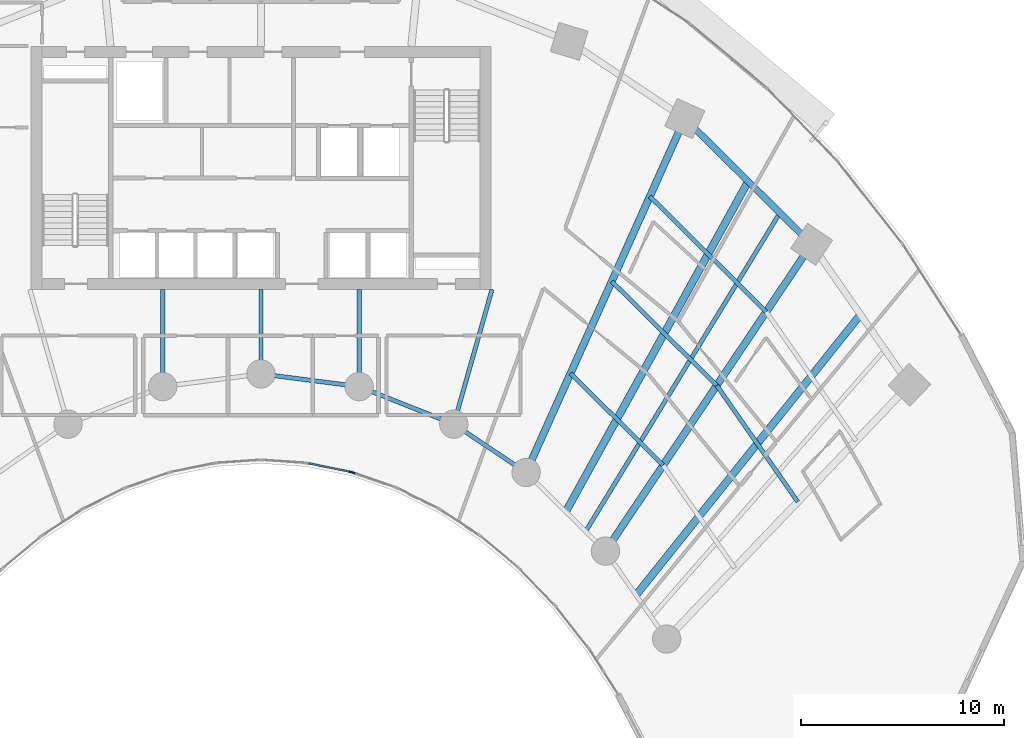
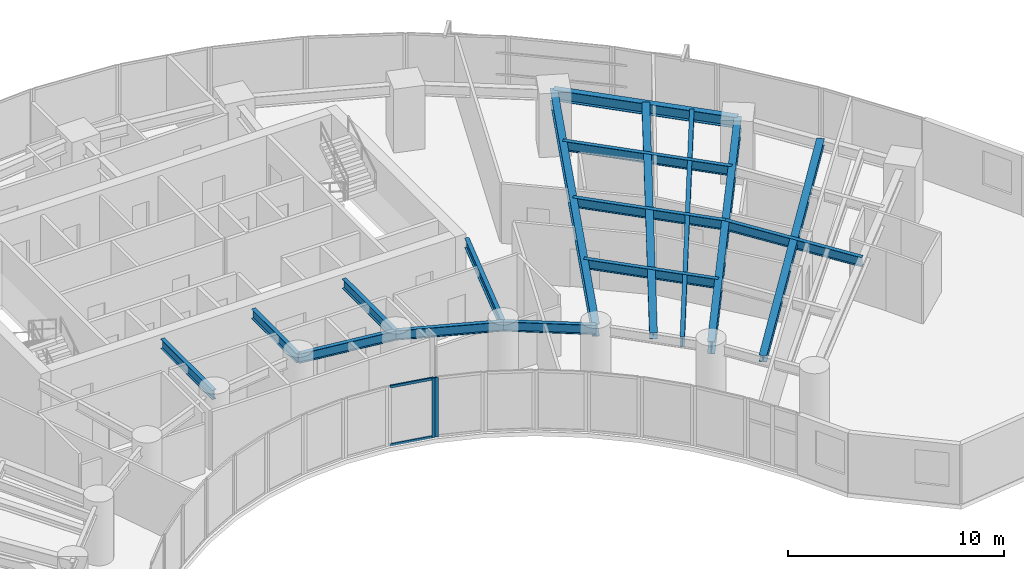
# One storey, part 5 of 17: 17 beams, 4 members, 2 elements without a shape of their own.
"""IFC4 building model written with IfcOpenShell, lengths in metres."""

from ifc_helpers import new_model, si_unit, direction, frame, origin, origin_2d, place, context, subcontext, project, spatial, rectangle, i_section, extrude, source, transform, mapped, material, layer, layer_set, material_profile, profile_set, type_object, type_shapes, element, aggregate, save


model = new_model("IFC4")

# Units and contexts
model_context = context("Model", 3, precision=1e-05, world=origin(), true_north=direction((0.0, 1.0)))
body_context = subcontext(model_context, "Body", "Model", "MODEL_VIEW")
ifc_project = project(units=[si_unit("LENGTHUNIT", "METRE"), si_unit("AREAUNIT", "SQUARE_METRE"), si_unit("VOLUMEUNIT", "CUBIC_METRE"), si_unit("PLANEANGLEUNIT", "RADIAN"), si_unit("MASSUNIT", "GRAM", prefix="KILO")], contexts=[model_context])

# Site, building, storey
site_placement = place(None, origin())
site = spatial("IfcSite", under=ifc_project, at=site_placement, CompositionType="ELEMENT")
building_placement = place(site_placement, origin())
building = spatial("IfcBuilding", under=site, at=building_placement, Name="Breltana Convention Tower", CompositionType="ELEMENT")
storey_placement = place(building_placement, frame((0.0, 0.0, 46.199951171875)))
storey = spatial("IfcBuildingStorey", under=building, at=storey_placement, Name="L09", CompositionType="ELEMENT", Elevation=46.199951171875)

# Beams
ifc_material_1 = material(Name="Steel ASTM A992 Grade 50", Category="steel")
ifc_material_profile_1 = material_profile(ifc_material_1, i_section(OverallWidth=0.323974609375, OverallDepth=0.611083984375, WebThickness=0.0126953125, FlangeThickness=0.01904296875, at=origin_2d()), Name="W24X104")
ifc_profile_set_1 = profile_set([ifc_material_profile_1], Name="Steel ASTM A992 Grade 50")
beam_type_1 = type_object("IfcBeamType", Name="BM-SP-W24X104", PredefinedType="SPANDREL", material=ifc_profile_set_1)
shared_shape_1 = source(origin(), body_context, "Body", "SweptSolid", [
    extrude(i_section(OverallWidth=0.323974609375, OverallDepth=0.611083984375, WebThickness=0.0126953125, FlangeThickness=0.01904296875, at=origin_2d()), origin(), (0.0, 0.0, 1.0), 8.810302734375),
])
beam_1_placement = place(storey_placement, frame((68.910400390625, 68.63330078125, 3.054443359375), z_axis=(0.710120823582, -0.704079836322, 0.0), x_axis=(0.704079836322, 0.710120823582, 0.0)))
element("IfcBeam", 1, at=beam_1_placement, inside=storey, type_object=beam_type_1, Name="L09 Outer Spandrel Beam 09", PredefinedType="SPANDREL", context=body_context, shape_type="MappedRepresentation", body=[
    mapped(shared_shape_1, transform((0.0, 0.0, 0.0), scale=1.0)),
])
ifc_material_profile_2 = material_profile(ifc_material_1, i_section(OverallWidth=0.2099609375, OverallDepth=0.537109375, WebThickness=0.010986328125, FlangeThickness=0.017333984375, at=origin_2d()), Name="W21X68")
ifc_profile_set_2 = profile_set([ifc_material_profile_2], Name="Steel ASTM A992 Grade 50")
beam_type_2 = type_object("IfcBeamType", Name="BM-BM-W21X68", PredefinedType="BEAM", material=ifc_profile_set_2)
shared_shape_2 = source(origin(), body_context, "Body", "SweptSolid", [
    extrude(i_section(OverallWidth=0.2099609375, OverallDepth=0.537109375, WebThickness=0.010986328125, FlangeThickness=0.017333984375, at=origin_2d()), origin(), (0.0, 0.0, 1.0), 6.904541015625),
])
type_shapes(beam_type_2, [shared_shape_2])
beam_2_placement = place(storey_placement, frame((59.39990234375, 60.199951171875, 3.091552734375), z_axis=(-0.273006781054, -0.962012108811, 0.0), x_axis=(0.962012108811, -0.273006781054, 0.0)))
element("IfcBeam", 2, at=beam_2_placement, inside=storey, type_object=beam_type_2, Name="L09 South Core Tie Girder R08", PredefinedType="BEAM", context=body_context, shape_type="MappedRepresentation", body=[
    mapped(shared_shape_2, transform((0.0, 0.0, 0.0), scale=1.0)),
])
shared_shape_3 = source(origin(), body_context, "Body", "SweptSolid", [
    extrude(i_section(OverallWidth=0.2099609375, OverallDepth=0.537109375, WebThickness=0.010986328125, FlangeThickness=0.017333984375, at=origin_2d()), origin(), (0.0, 0.0, 1.0), 4.789306640625),
])
for number, where, z_axis, x_axis, name in (
    (3, (43.153564453125, 60.199951171875, 3.091552734375), (0.0, -1.0, 0.0), (1.0, 0.0, 0.0), "L09 South Core Tie Girder R05"),
    (4, (52.846435546875, 60.199951171875, 3.091552734375), (0.0, -1.0, 0.0), (1.0, 0.0, 0.0), "L09 South Core Tie Girder R07"),
):
    element("IfcBeam", number, at=place(storey_placement, frame(where, z_axis=z_axis, x_axis=x_axis)), inside=storey, type_object=beam_type_2, Name=name, PredefinedType="BEAM", context=body_context, shape_type="MappedRepresentation", body=[
        mapped(shared_shape_3, transform((0.0, 0.0, 0.0), scale=1.0)),
    ])
shared_shape_4 = source(origin(), body_context, "Body", "SweptSolid", [
    extrude(i_section(OverallWidth=0.2099609375, OverallDepth=0.537109375, WebThickness=0.010986328125, FlangeThickness=0.017333984375, at=origin_2d()), origin(), (0.0, 0.0, 1.0), 4.1640625),
])
beam_3_placement = place(storey_placement, frame((48.0, 60.199951171875, 3.091552734375), z_axis=(0.0, -1.0, 0.0), x_axis=(1.0, 0.0, 0.0)))
element("IfcBeam", 5, at=beam_3_placement, inside=storey, type_object=beam_type_2, Name="L09 South Core Tie Girder R06", PredefinedType="BEAM", context=body_context, shape_type="MappedRepresentation", body=[
    mapped(shared_shape_4, transform((0.0, 0.0, 0.0), scale=1.0)),
])
ifc_material_profile_3 = material_profile(ifc_material_1, i_section(OverallWidth=0.35498046875, OverallDepth=0.696044921875, WebThickness=0.015380859375, FlangeThickness=0.02490234375, at=origin_2d()), Name="W27X146")
ifc_profile_set_3 = profile_set([ifc_material_profile_3], Name="Steel ASTM A992 Grade 50")
beam_type_3 = type_object("IfcBeamType", Name="BM-RG-W27X146", PredefinedType="USERDEFINED", material=ifc_profile_set_3)
shared_shape_5 = source(origin(), body_context, "Body", "SweptSolid", [
    extrude(i_section(OverallWidth=0.35498046875, OverallDepth=0.696044921875, WebThickness=0.015380859375, FlangeThickness=0.02490234375, at=origin_2d()), origin(), (0.0, 0.0, 1.0), 19.133544921875),
])
beam_4_placement = place(storey_placement, frame((61.08203125, 51.174560546875, 3.011962890625), z_axis=(0.409144564164, 0.912469575172, 0.0), x_axis=(-0.912469575172, 0.409144564164, 0.0)))
element("IfcBeam", 6, at=beam_4_placement, inside=storey, type_object=beam_type_3, Name="L09 Radial Floor Girder R09", ObjectType="GIRDER", PredefinedType="USERDEFINED", context=body_context, shape_type="MappedRepresentation", body=[
    mapped(shared_shape_5, transform((0.0, 0.0, 0.0), scale=1.0)),
])
shared_shape_6 = source(origin(), body_context, "Body", "SweptSolid", [
    extrude(i_section(OverallWidth=0.35498046875, OverallDepth=0.696044921875, WebThickness=0.015380859375, FlangeThickness=0.02490234375, at=origin_2d()), origin(), (0.0, 0.0, 1.0), 18.236328125),
])
beam_5_placement = place(storey_placement, frame((64.995849609375, 47.293701171875, 3.011962890625), z_axis=(0.557730360975, 0.830022195153, 0.0), x_axis=(-0.830022195153, 0.557730360975, 0.0)))
element("IfcBeam", 7, at=beam_5_placement, inside=storey, type_object=beam_type_3, Name="L09 Radial Floor Girder R10", ObjectType="GIRDER", PredefinedType="USERDEFINED", context=body_context, shape_type="MappedRepresentation", body=[
    mapped(shared_shape_6, transform((0.0, 0.0, 0.0), scale=1.0)),
])
shared_shape_7 = source(origin(), body_context, "Body", "SweptSolid", [
    extrude(i_section(OverallWidth=0.2099609375, OverallDepth=0.537109375, WebThickness=0.010986328125, FlangeThickness=0.017333984375, at=origin_2d()), origin(), (0.0, 0.0, 1.0), 5.022705078125),
])
beam_6_placement = place(storey_placement, frame((52.846435546875, 55.41064453125, 3.091552734375), z_axis=(0.929458966248, -0.368925507469, 0.0), x_axis=(0.368925507469, 0.929458966248, 0.0)))
element("IfcBeam", 8, at=beam_6_placement, inside=storey, type_object=beam_type_2, Name="L09 Inner Ring Beam 07", PredefinedType="BEAM", context=body_context, shape_type="MappedRepresentation", body=[
    mapped(shared_shape_7, transform((0.0, 0.0, 0.0), scale=1.0)),
])
shared_shape_8 = source(origin(), body_context, "Body", "SweptSolid", [
    extrude(i_section(OverallWidth=0.2099609375, OverallDepth=0.537109375, WebThickness=0.010986328125, FlangeThickness=0.017333984375, at=origin_2d()), origin(), (0.0, 0.0, 1.0), 4.88671875),
])
beam_7_placement = place(storey_placement, frame((48.0, 56.035888671875, 3.091552734375), z_axis=(0.991780525565, -0.127950729231, 0.0), x_axis=(0.127950729231, 0.991780525565, 0.0)))
element("IfcBeam", 9, at=beam_7_placement, inside=storey, type_object=beam_type_2, Name="L09 Inner Ring Beam 06", PredefinedType="BEAM", context=body_context, shape_type="MappedRepresentation", body=[
    mapped(shared_shape_8, transform((0.0, 0.0, 0.0), scale=1.0)),
])
shared_shape_9 = source(origin(), body_context, "Body", "SweptSolid", [
    extrude(i_section(OverallWidth=0.2099609375, OverallDepth=0.537109375, WebThickness=0.010986328125, FlangeThickness=0.017333984375, at=origin_2d()), origin(), (0.0, 0.0, 1.0), 4.2900390625),
])
beam_8_placement = place(storey_placement, frame((57.514892578125, 53.5576171875, 3.091552734375), z_axis=(0.831515827753, -0.555501060482, 0.0), x_axis=(0.555501060482, 0.831515827753, 0.0)))
element("IfcBeam", 10, at=beam_8_placement, inside=storey, type_object=beam_type_2, Name="L09 Inner Ring Beam 08", PredefinedType="BEAM", context=body_context, shape_type="MappedRepresentation", body=[
    mapped(shared_shape_9, transform((0.0, 0.0, 0.0), scale=1.0)),
])
ifc_material_profile_4 = material_profile(ifc_material_1, i_section(OverallWidth=0.2099609375, OverallDepth=0.537109375, WebThickness=0.010986328125, FlangeThickness=0.017333984375, at=origin_2d()), Name="W21X68")
ifc_profile_set_4 = profile_set([ifc_material_profile_4], Name="Steel ASTM A992 Grade 50")
beam_type_4 = type_object("IfcBeamType", Name="BM-JSG-04", PredefinedType="JOIST", material=ifc_profile_set_4)
shared_shape_10 = source(origin(), body_context, "Body", "SweptSolid", [
    extrude(i_section(OverallWidth=0.2099609375, OverallDepth=0.537109375, WebThickness=0.010986328125, FlangeThickness=0.017333984375, at=origin_2d()), origin(), (0.0, 0.0, 1.0), 6.435302734375),
])
beam_9_placement = place(storey_placement, frame((63.27392578125, 56.06298828125, 3.091552734375), z_axis=(0.710116389828, -0.704084308089, 0.0), x_axis=(0.704084308089, 0.710116389828, 0.0)))
element("IfcBeam", 11, at=beam_9_placement, inside=storey, type_object=beam_type_4, Name="L09 Composite Floor Joist 09.1", PredefinedType="JOIST", context=body_context, shape_type="MappedRepresentation", body=[
    mapped(shared_shape_10, transform((0.0, 0.0, 0.0), scale=1.0)),
])
shared_shape_11 = source(origin(), body_context, "Body", "SweptSolid", [
    extrude(i_section(OverallWidth=0.2099609375, OverallDepth=0.537109375, WebThickness=0.010986328125, FlangeThickness=0.017333984375, at=origin_2d()), origin(), (0.0, 0.0, 1.0), 7.29296875),
])
beam_10_placement = place(storey_placement, frame((65.309326171875, 60.602294921875, 3.091552734375), z_axis=(0.710096551013, -0.704104316305, 0.0), x_axis=(0.704104316305, 0.710096551013, 0.0)))
element("IfcBeam", 12, at=beam_10_placement, inside=storey, type_object=beam_type_4, Name="L09 Composite Floor Joist 09.2", PredefinedType="JOIST", context=body_context, shape_type="MappedRepresentation", body=[
    mapped(shared_shape_11, transform((0.0, 0.0, 0.0), scale=1.0)),
])
shared_shape_12 = source(origin(), body_context, "Body", "SweptSolid", [
    extrude(i_section(OverallWidth=0.2099609375, OverallDepth=0.537109375, WebThickness=0.010986328125, FlangeThickness=0.017333984375, at=origin_2d()), origin(), (0.0, 0.0, 1.0), 8.084716796875),
])
beam_11_placement = place(storey_placement, frame((67.188232421875, 64.79248046875, 3.091552734375), z_axis=(0.710105094548, -0.704095699956, 0.0), x_axis=(0.704095699956, 0.710105094548, 0.0)))
element("IfcBeam", 13, at=beam_11_placement, inside=storey, type_object=beam_type_4, Name="L09 Composite Floor Joist 09.3", PredefinedType="JOIST", context=body_context, shape_type="MappedRepresentation", body=[
    mapped(shared_shape_12, transform((0.0, 0.0, 0.0), scale=1.0)),
])
ifc_material_profile_5 = material_profile(ifc_material_1, i_section(OverallWidth=0.368896484375, OverallDepth=0.35595703125, WebThickness=0.01123046875, FlangeThickness=0.01806640625, at=origin_2d()), Name="W14X90")
ifc_profile_set_5 = profile_set([ifc_material_profile_5], Name="Steel ASTM A992 Grade 50")
beam_type_5 = type_object("IfcBeamType", Name="BM-JSG-09", PredefinedType="JOIST", material=ifc_profile_set_5)
shared_shape_13 = source(origin(), body_context, "Body", "SweptSolid", [
    extrude(i_section(OverallWidth=0.368896484375, OverallDepth=0.35595703125, WebThickness=0.01123046875, FlangeThickness=0.01806640625, at=origin_2d()), origin(), (0.0, 0.0, 1.0), 18.617431640625),
])
beam_12_placement = place(storey_placement, frame((63.038818359375, 49.234130859375, 3.18212890625), z_axis=(0.483405602507, 0.875396495004, 0.0), x_axis=(-0.875396495004, 0.483405602507, 0.0)))
element("IfcBeam", 14, at=beam_12_placement, inside=storey, type_object=beam_type_5, Name="L09 Mid-Bay Radial Trimmer 09", PredefinedType="JOIST", context=body_context, shape_type="MappedRepresentation", body=[
    mapped(shared_shape_13, transform((0.0, 0.0, 0.0), scale=1.0)),
])
shared_shape_14 = source(origin(), body_context, "Body", "SweptSolid", [
    extrude(i_section(OverallWidth=0.2099609375, OverallDepth=0.537109375, WebThickness=0.010986328125, FlangeThickness=0.017333984375, at=origin_2d()), origin(), (0.0, 0.0, 1.0), 18.409423828125),
])
beam_13_placement = place(storey_placement, frame((64.017333984375, 48.263916015625, 3.091552734375), z_axis=(0.520682167606, 0.853750596098, 0.0), x_axis=(-0.853750596098, 0.520682167606, 0.0)))
element("IfcBeam", 15, at=beam_13_placement, inside=storey, type_object=beam_type_4, Name="L09 Quarter-Bay Radial Trimmer 09", PredefinedType="JOIST", context=body_context, shape_type="MappedRepresentation", body=[
    mapped(shared_shape_14, transform((0.0, 0.0, 0.0), scale=1.0)),
])
shared_shape_15 = source(origin(), body_context, "Body", "SweptSolid", [
    extrude(i_section(OverallWidth=0.2099609375, OverallDepth=0.537109375, WebThickness=0.010986328125, FlangeThickness=0.017333984375, at=origin_2d()), origin(), (0.0, 0.0, 1.0), 6.99462890625),
])
beam_14_placement = place(storey_placement, frame((70.488037109375, 55.46728515625, 3.091552734375), z_axis=(0.571206630732, -0.820806301759, 0.0), x_axis=(0.820806301759, 0.571206630732, 0.0)))
element("IfcBeam", 16, at=beam_14_placement, inside=storey, type_object=beam_type_4, Name="L09 Composite Floor Joist 10.2", PredefinedType="JOIST", context=body_context, shape_type="MappedRepresentation", body=[
    mapped(shared_shape_15, transform((0.0, 0.0, 0.0), scale=1.0)),
])
shared_shape_16 = source(origin(), body_context, "Body", "SweptSolid", [
    extrude(i_section(OverallWidth=0.368896484375, OverallDepth=0.35595703125, WebThickness=0.01123046875, FlangeThickness=0.01806640625, at=origin_2d()), origin(), (0.0, 0.0, 1.0), 17.7236328125),
])
beam_15_placement = place(storey_placement, frame((66.505615234375, 45.124267578125, 3.18212890625), z_axis=(0.624829427563, 0.78076128647, 0.0), x_axis=(-0.78076128647, 0.624829427563, 0.0)))
element("IfcBeam", 17, at=beam_15_placement, inside=storey, type_object=beam_type_5, Name="L09 Mid-Bay Radial Trimmer 10", PredefinedType="JOIST", context=body_context, shape_type="MappedRepresentation", body=[
    mapped(shared_shape_16, transform((0.0, 0.0, 0.0), scale=1.0)),
])

# Curtain wall, member
ifc_material_2 = material(Name="Aluminium Anodised Bronze Frame", Category="aluminium")
ifc_layer = layer(ifc_material_2, 0.18994140625, Name="Aluminium Anodised Bronze Frame")
ifc_layer_set = layer_set([ifc_layer], Name="Aluminium Anodised Bronze Frame")
curtain_wall_type = type_object("IfcCurtainWallType", Name="CW-SYS-1", PredefinedType="NOTDEFINED", material=ifc_layer_set)
curtain_wall_1_placement = place(storey_placement, origin())
curtain_wall_1 = element("IfcCurtainWall", 18, at=curtain_wall_1_placement, inside=storey, type_object=curtain_wall_type, Name="L09 inner south-court glazing 7", PredefinedType="NOTDEFINED")
ifc_material_3 = material(Name="Aluminium Anodised Bronze", Category="aluminium")
ifc_material_profile_6 = material_profile(ifc_material_3, rectangle(XDim=0.080078125, YDim=0.199951171875, at=origin_2d()), Name="CWM-80X200")
ifc_profile_set_6 = profile_set([ifc_material_profile_6], Name="Aluminium Anodised Bronze")
member_type_1 = type_object("IfcMemberType", Name="CWM-200", PredefinedType="MULLION", material=ifc_profile_set_6)
shared_shape_17 = source(origin(), body_context, "Body", "SweptSolid", [
    extrude(rectangle(XDim=0.080078125, YDim=0.199951171875, at=origin_2d()), origin(), (0.0, 0.0, 1.0), 3.360107421875),
])
member_1_placement = place(storey_placement, frame((52.54052734375, 51.166015625, 0.0), z_axis=(0.0, 0.0, 1.0), x_axis=(-0.327413341714, -0.944881211406, 0.0)))
member_1 = element("IfcMember", 19, at=member_1_placement, type_object=member_type_1, Name="CW-01 mullion 2", PredefinedType="MULLION", context=body_context, shape_type="MappedRepresentation", body=[
    mapped(shared_shape_17, transform((0.0, 0.0, 0.0), scale=1.0)),
])
aggregate(curtain_wall_1, [member_1])

# Curtain wall, members
curtain_wall_2_placement = place(storey_placement, origin())
curtain_wall_2 = element("IfcCurtainWall", 20, at=curtain_wall_2_placement, inside=storey, type_object=curtain_wall_type, Name="L09 inner south-court glazing 8", PredefinedType="NOTDEFINED")
member_2_placement = place(storey_placement, frame((52.44091796875, 51.193359375, 0.0), z_axis=(0.0, 0.0, 1.0), x_axis=(-0.200886350278, -0.97961455393, 0.0)))
member_2 = element("IfcMember", 21, at=member_2_placement, type_object=member_type_1, Name="CW-01 mullion 1", PredefinedType="MULLION", context=body_context, shape_type="MappedRepresentation", body=[
    mapped(shared_shape_17, transform((0.0, 0.0, 0.0), scale=1.0)),
])
ifc_material_profile_7 = material_profile(ifc_material_3, rectangle(XDim=0.080078125, YDim=0.139892578125, at=origin_2d()), Name="CWT-80X140")
ifc_profile_set_7 = profile_set([ifc_material_profile_7], Name="Aluminium Anodised Bronze")
member_type_2 = type_object("IfcMemberType", Name="CWT-140", PredefinedType="USERDEFINED", material=ifc_profile_set_7)
shared_shape_18 = source(origin(), body_context, "Body", "SweptSolid", [
    extrude(rectangle(XDim=0.080078125, YDim=0.139892578125, at=origin_2d()), origin(), (0.0, 0.0, 1.0), 2.096435546875),
])
member_3_placement = place(storey_placement, frame((52.401611328125, 51.201416015625, 0.0400390625), z_axis=(-0.979615042233, 0.200883969074, 0.0), x_axis=(-0.200883969074, -0.979615042233, 0.0)))
member_3 = element("IfcMember", 22, at=member_3_placement, type_object=member_type_2, Name="CW-01 transom 1.1", ObjectType="TRANSOM", PredefinedType="USERDEFINED", context=body_context, shape_type="MappedRepresentation", body=[
    mapped(shared_shape_18, transform((0.0, 0.0, 0.0), scale=1.0)),
])
member_4_placement = place(storey_placement, frame((52.401611328125, 51.201416015625, 3.320068359375), z_axis=(-0.979615042233, 0.200883969074, 0.0), x_axis=(-0.200883969074, -0.979615042233, 0.0)))
member_4 = element("IfcMember", 23, at=member_4_placement, type_object=member_type_2, Name="CW-01 transom 1.2", ObjectType="TRANSOM", PredefinedType="USERDEFINED", context=body_context, shape_type="MappedRepresentation", body=[
    mapped(shared_shape_18, transform((0.0, 0.0, 0.0), scale=1.0)),
])
aggregate(curtain_wall_2, [member_2, member_3, member_4])

save(model, "model.ifc")
